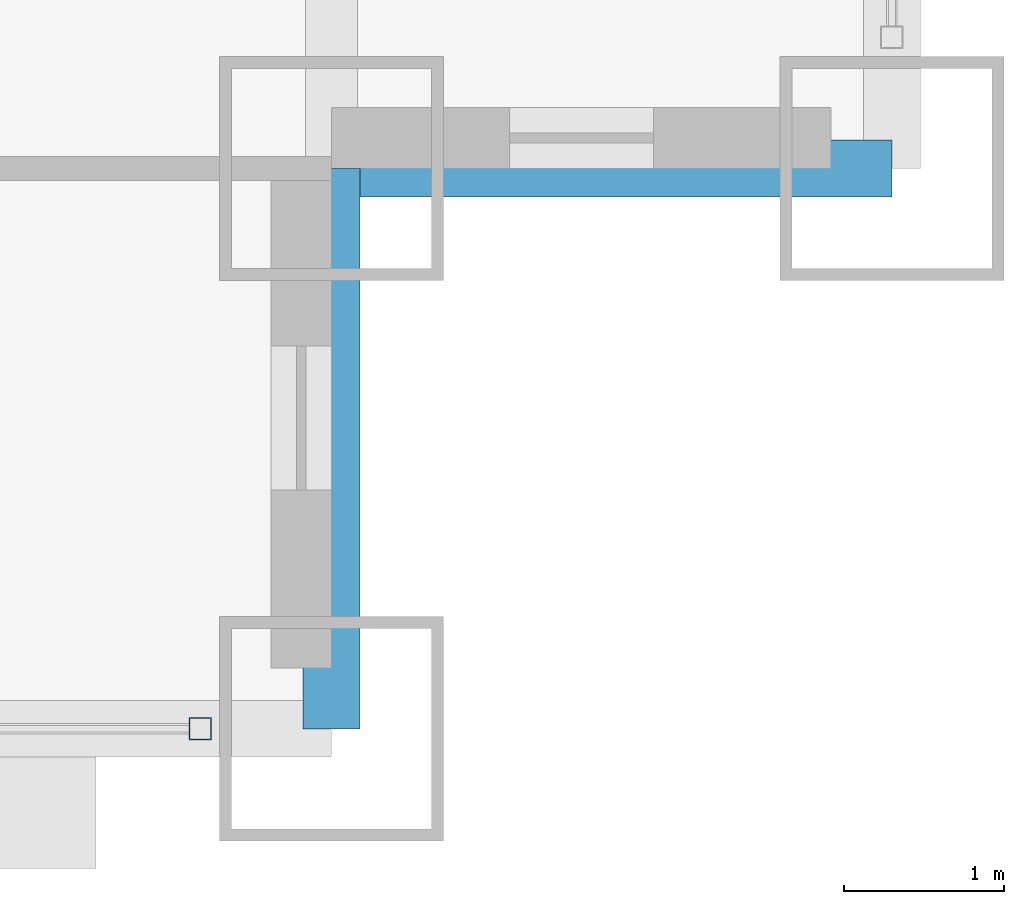
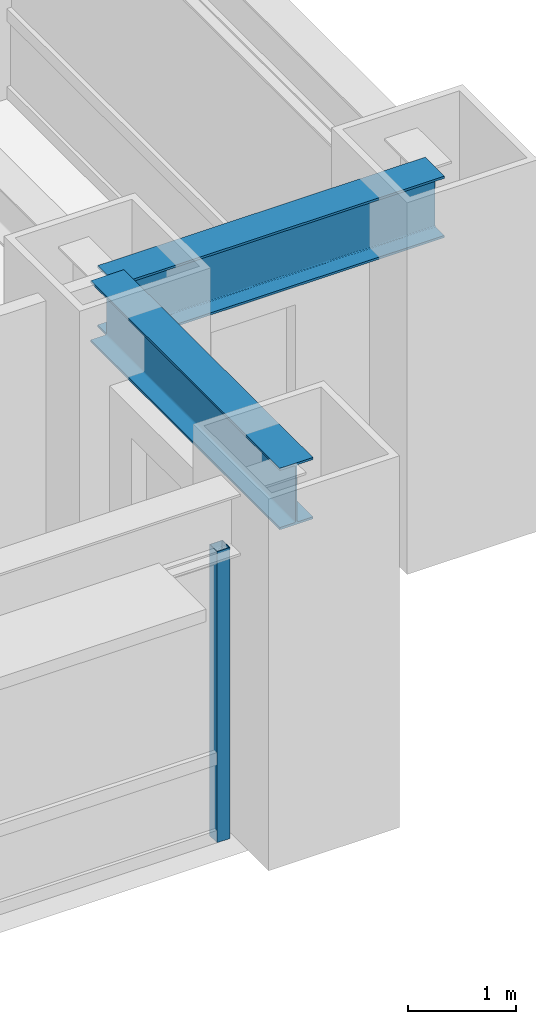
# One storey, part 6 of 32: 2 beams, 1 member, 1 element without a shape of its own.
"""IFC4 building model written with IfcOpenShell, lengths in metres."""

import ifcopenshell
import ifcopenshell.guid

model = None  # the IFC model being written
_history = None  # IfcOwnerHistory: only IFC2X3 demands one
_inside = {}  # id of a spatial element -> (the spatial element, [elements in it])
_under = {}  # id of a project, library or spatial element -> (it, [spatial elements below it])
_declared = {}  # id of a project -> (the project, [libraries it declares])
_typed = {}  # id of a type object -> (the type object, [elements of that type])
_made_of = {}  # id of a material, layer set ... -> (it, [elements and type objects made of it])


def new_model(schema):
    """Start an empty IFC model of exactly this schema.

    Asked for "IFC4X3", IfcOpenShell would pick the latest addendum, in which some entities
    have other attributes; the version numbers below select the first issue.
    IFC2X3 requires an IfcOwnerHistory on every rooted entity: one is made here for all.
    """
    global model, _history
    if schema == "IFC4X3":
        model = ifcopenshell.file(schema_version=(4, 3, 0, 0))
    else:
        model = ifcopenshell.file(schema=schema)
    _inside.clear()
    _under.clear()
    _declared.clear()
    _typed.clear()
    _made_of.clear()
    _history = None
    if model.schema == "IFC2X3":
        org = make("IfcOrganization", Name="unknown")
        user = make(
            "IfcPersonAndOrganization",
            ThePerson=make("IfcPerson", FamilyName="unknown"),
            TheOrganization=org,
        )
        app = make(
            "IfcApplication",
            ApplicationDeveloper=org,
            Version="unknown",
            ApplicationFullName="unknown",
            ApplicationIdentifier="unknown",
        )
        _history = make(
            "IfcOwnerHistory",
            OwningUser=user,
            OwningApplication=app,
            ChangeAction="ADDED",
            CreationDate=0,
        )
    return model


def make(cls, **values):
    """One entity of the class cls with the attributes given. An attribute that is None is left unset."""
    return model.create_entity(
        cls, **{name: value for name, value in values.items() if value is not None}
    )


def rooted(cls, **values):
    """An entity with a GlobalId (a new one), such as an element, a storey or a relation."""
    return make(cls, GlobalId=ifcopenshell.guid.new(), OwnerHistory=_history, **values)


def si_unit(unit_type, name, prefix=None):
    """IfcSIUnit, for example si_unit("LENGTHUNIT", "METRE", prefix="MILLI")."""
    return make("IfcSIUnit", UnitType=unit_type, Prefix=prefix, Name=name)


def assignment(units):
    """IfcUnitAssignment: the units of a project."""
    return None if units is None else make("IfcUnitAssignment", Units=units)


def point(xyz):
    """IfcCartesianPoint."""
    return None if xyz is None else make("IfcCartesianPoint", Coordinates=xyz)


def direction(xyz):
    """IfcDirection."""
    return None if xyz is None else make("IfcDirection", DirectionRatios=xyz)


def frame(location, z_axis=None, x_axis=None):
    """IfcAxis2Placement3D, a coordinate frame: its origin and axes. An axis left out is left unset."""
    return make(
        "IfcAxis2Placement3D",
        Location=point(location),
        Axis=direction(z_axis),
        RefDirection=direction(x_axis),
    )


def frame_2d(location, x_axis=None):
    """IfcAxis2Placement2D, a coordinate frame in the plane: its origin and x axis."""
    return make(
        "IfcAxis2Placement2D", Location=point(location), RefDirection=direction(x_axis)
    )


def origin():
    """The frame at (0, 0, 0) with its axes left unset."""
    return frame((0.0, 0.0, 0.0))


def origin_2d():
    """The frame at (0, 0) in the plane with its x axis left unset."""
    return frame_2d((0.0, 0.0))


def place(relative_to, where):
    """IfcLocalPlacement: puts the frame where relative to a parent placement (None: the world)."""
    return make(
        "IfcLocalPlacement", PlacementRelTo=relative_to, RelativePlacement=where
    )


def context(
    kind, dimensions, precision=None, world=None, true_north=None, identifier=None
):
    """IfcGeometricRepresentationContext, for example the 3D "Model" context."""
    return make(
        "IfcGeometricRepresentationContext",
        ContextIdentifier=identifier,
        ContextType=kind,
        CoordinateSpaceDimension=dimensions,
        Precision=precision,
        WorldCoordinateSystem=world,
        TrueNorth=true_north,
    )


def subcontext(parent, identifier, kind, view, scale=None):
    """IfcGeometricRepresentationSubContext, for example "Body" below "Model"."""
    return make(
        "IfcGeometricRepresentationSubContext",
        ContextIdentifier=identifier,
        ContextType=kind,
        ParentContext=parent,
        TargetScale=scale,
        TargetView=view,
    )


def project(units=None, contexts=None):
    """IfcProject with its units and contexts."""
    return rooted(
        "IfcProject",
        Name="project",
        RepresentationContexts=contexts,
        UnitsInContext=assignment(units),
    )


def spatial(cls, under=None, at=None, **own):
    """A site, building, storey or space (cls), placed at a placement, below another one or the project."""
    s = rooted(cls, ObjectPlacement=at, **own)
    if under is not None:
        _under.setdefault(under.id(), (under, []))[1].append(s)
    return s


def profile(cls, at=None, kind="AREA", **sizes):
    """A parametric profile (cls). Its sizes go by their IFC names, for example OverallWidth=200.0."""
    return make(cls, ProfileType=kind, Position=at, **sizes)


def hollow_rectangle(**sizes):
    """IfcRectangleHollowProfileDef."""
    return profile("IfcRectangleHollowProfileDef", **sizes)


def i_section(**sizes):
    """IfcIShapeProfileDef."""
    return profile("IfcIShapeProfileDef", **sizes)


def extrude(swept, where, along, depth):
    """IfcExtrudedAreaSolid: the profile swept, set in the frame where, extruded along a direction by depth."""
    return make(
        "IfcExtrudedAreaSolid",
        SweptArea=swept,
        Position=where,
        ExtrudedDirection=direction(along),
        Depth=depth,
    )


def shape(context_of_items, identifier, shape_type, items):
    """IfcShapeRepresentation: the items that make up one representation, for example the "Body"."""
    return make(
        "IfcShapeRepresentation",
        ContextOfItems=context_of_items,
        RepresentationIdentifier=identifier,
        RepresentationType=shape_type,
        Items=items,
    )


def source(mapping_origin, context_of_items, identifier, shape_type, items):
    """IfcRepresentationMap: a shape defined once, which mapped items show again and again."""
    return make(
        "IfcRepresentationMap",
        MappingOrigin=mapping_origin,
        MappedRepresentation=shape(context_of_items, identifier, shape_type, items),
    )


def transform(
    local_origin,
    x_axis=None,
    y_axis=None,
    z_axis=None,
    scale=None,
    scale2=None,
    scale3=None,
    uniform=True,
):
    """IfcCartesianTransformationOperator3D, or its non-uniform kind. x_axis, y_axis, z_axis: its Axis1, 2, 3."""
    if uniform:
        return make(
            "IfcCartesianTransformationOperator3D",
            Axis1=direction(x_axis),
            Axis2=direction(y_axis),
            LocalOrigin=point(local_origin),
            Scale=scale,
            Axis3=direction(z_axis),
        )
    return make(
        "IfcCartesianTransformationOperator3DnonUniform",
        Axis1=direction(x_axis),
        Axis2=direction(y_axis),
        LocalOrigin=point(local_origin),
        Scale=scale,
        Axis3=direction(z_axis),
        Scale2=scale2,
        Scale3=scale3,
    )


def mapped(mapping_source, mapping_target):
    """IfcMappedItem: shows the shape of a source again, moved by a transform."""
    return make(
        "IfcMappedItem", MappingSource=mapping_source, MappingTarget=mapping_target
    )


def material(Name=None, Category=None):
    """IfcMaterial."""
    return make("IfcMaterial", Name=Name, Category=Category)


def material_profile(
    of_material, cross_section, Name=None, Category=None, Priority=None
):
    """IfcMaterialProfile: a cross section and its material."""
    return make(
        "IfcMaterialProfile",
        Name=Name,
        Material=of_material,
        Profile=cross_section,
        Priority=Priority,
        Category=Category,
    )


def profile_set(profiles, Name=None, composite=None):
    """IfcMaterialProfileSet."""
    return make(
        "IfcMaterialProfileSet",
        Name=Name,
        MaterialProfiles=profiles,
        CompositeProfile=composite,
    )


def made_of(thing, what):
    """Note that an element or type object is made of a material, layer set ...; save() writes the relation."""
    if what is not None:
        _made_of.setdefault(what.id(), (what, []))[1].append(thing)
    return thing


def type_object(cls, material=None, **own):
    """A type object (cls), such as IfcWallType, which elements share."""
    return made_of(rooted(cls, **own), material)


def element(
    cls,
    number,
    at=None,
    inside=None,
    cuts=None,
    type_object=None,
    material=None,
    context=None,
    identifier="Body",
    shape_type=None,
    held_by="IfcProductDefinitionShape",
    body=None,
    shapes=None,
    **own,
):
    """One element of the class cls, such as IfcWall. Its Tag is "e" and its number.

    at: its placement. inside: the storey or other place that contains it. cuts: it is an
    opening in that element (IfcRelVoidsElement). A single representation is given by context,
    identifier, shape_type and body (its items); several are given by shapes. held_by: the class
    of the entity that holds the representations. save() writes the other relations.
    """
    e = rooted(cls, Tag="e%d" % number, ObjectPlacement=at, **own)
    if body is not None:
        shapes = [shape(context, identifier, shape_type, body)]
    if shapes is not None:
        e.Representation = make(held_by, Representations=shapes)
    if inside is not None:
        _inside.setdefault(inside.id(), (inside, []))[1].append(e)
    if cuts is not None:
        rooted(
            "IfcRelVoidsElement", RelatingBuildingElement=cuts, RelatedOpeningElement=e
        )
    if type_object is not None:
        _typed.setdefault(type_object.id(), (type_object, []))[1].append(e)
    return made_of(e, material)


def aggregate(whole, parts):
    """IfcRelAggregates: a whole, such as a stair, and the parts it consists of."""
    return rooted("IfcRelAggregates", RelatingObject=whole, RelatedObjects=parts)


def save(model, path):
    """Write the relations noted so far, then the file.

    IfcRelAggregates (storeys below a building ...), IfcRelContainedInSpatialStructure (elements
    in a storey), IfcRelDefinesByType, IfcRelAssociatesMaterial and IfcRelDeclares: one each for
    every whole, place, type object, material and project.
    """
    for whole, parts in _under.values():
        aggregate(whole, parts)
    for where, things in _inside.values():
        rooted(
            "IfcRelContainedInSpatialStructure",
            RelatedElements=things,
            RelatingStructure=where,
        )
    for kind, things in _typed.values():
        rooted("IfcRelDefinesByType", RelatedObjects=things, RelatingType=kind)
    for what, things in _made_of.values():
        rooted("IfcRelAssociatesMaterial", RelatedObjects=things, RelatingMaterial=what)
    for by, libraries in _declared.values():
        rooted("IfcRelDeclares", RelatingContext=by, RelatedDefinitions=libraries)
    model.write(path)


model = new_model("IFC4")

# Units and contexts
model_context = context("Model", 3, precision=1e-05, world=origin(), true_north=direction((0.0, 1.0)))
body_context = subcontext(model_context, "Body", "Model", "MODEL_VIEW")
ifc_project = project(units=[si_unit("LENGTHUNIT", "METRE"), si_unit("AREAUNIT", "SQUARE_METRE"), si_unit("VOLUMEUNIT", "CUBIC_METRE"), si_unit("PLANEANGLEUNIT", "RADIAN"), si_unit("MASSUNIT", "GRAM", prefix="KILO")], contexts=[model_context])

# Site, building, storey
site_placement = place(None, origin())
site = spatial("IfcSite", under=ifc_project, at=site_placement, CompositionType="ELEMENT")
building_placement = place(site_placement, origin())
building = spatial("IfcBuilding", under=site, at=building_placement, Name="Khorayat Bourse Tower", CompositionType="ELEMENT")
storey_placement = place(building_placement, frame((0.0, 0.0, 74.60009765625)))
storey = spatial("IfcBuildingStorey", under=building, at=storey_placement, Name="L16", CompositionType="ELEMENT", Elevation=74.60009765625)

# Beams
ifc_material_1 = material(Name="Steel ASTM A992 Grade 50", Category="steel")
ifc_material_profile_1 = material_profile(ifc_material_1, i_section(OverallWidth=0.35498046875, OverallDepth=0.695068359375, WebThickness=0.015380859375, FlangeThickness=0.02490234375, FilletRadius=0.01806640625, at=origin_2d()), Name="W690X217")
ifc_profile_set_1 = profile_set([ifc_material_profile_1], Name="Steel ASTM A992 Grade 50")
beam_type = type_object("IfcBeamType", Name="BM-SPAN-690", PredefinedType="SPANDREL", material=ifc_profile_set_1)
shared_shape_1 = source(origin(), body_context, "Body", "SweptSolid", [
    extrude(i_section(OverallWidth=0.35498046875, OverallDepth=0.695068359375, WebThickness=0.015380859375, FlangeThickness=0.02490234375, FilletRadius=0.01806640625, at=origin_2d()), origin(), (0.0, 0.0, 1.0), 3.5),
])
for number, where, z_axis, x_axis, name in (
    (1, (28.5, -32.0, 3.59228515625), (0.0, 1.0, 0.0), (-1.0, 0.0, 0.0), "L16 BM-SPAN-690 BM-L16-SPN-032"),
    (2, (28.5, -28.5, 3.59228515625), (1.0, 0.0, 0.0), (0.0, 1.0, 0.0), "L16 BM-SPAN-690 BM-L16-SPN-033"),
):
    element("IfcBeam", number, at=place(storey_placement, frame(where, z_axis=z_axis, x_axis=x_axis)), inside=storey, type_object=beam_type, Name=name, PredefinedType="SPANDREL", context=body_context, shape_type="MappedRepresentation", body=[
        mapped(shared_shape_1, transform((0.0, 0.0, 0.0), scale=1.0)),
    ])

# Curtain wall, member
ifc_material_2 = material(Name="Aluminium EN AW-6063 T6", Category="aluminium")
curtain_wall_type = type_object("IfcCurtainWallType", Name="CW-SYS-02", PredefinedType="NOTDEFINED", material=ifc_material_2)
curtain_wall_placement = place(storey_placement, origin())
curtain_wall = element("IfcCurtainWall", 3, at=curtain_wall_placement, inside=storey, type_object=curtain_wall_type, Name="L16 Curtain Wall CW-L16-S1", PredefinedType="NOTDEFINED")
ifc_material_profile_2 = material_profile(ifc_material_2, hollow_rectangle(XDim=0.139892578125, YDim=0.139892578125, WallThickness=0.006103515625, at=origin_2d()), Name="ALU 140x140x6")
ifc_profile_set_2 = profile_set([ifc_material_profile_2], Name="Aluminium EN AW-6063 T6")
member_type = type_object("IfcMemberType", Name="CWM-VERT-140", PredefinedType="MULLION", material=ifc_profile_set_2)
shared_shape_2 = source(origin(), body_context, "Body", "SweptSolid", [
    extrude(hollow_rectangle(XDim=0.139892578125, YDim=0.139892578125, WallThickness=0.006103515625, at=origin_2d()), origin(), (0.0, 0.0, 1.0), 3.289794921875),
])
member_placement = place(storey_placement, frame((27.679931640625, -32.0, 0.0), z_axis=(0.0, 0.0, 1.0), x_axis=(0.0, 1.0, 0.0)))
member = element("IfcMember", 4, at=member_placement, type_object=member_type, Name="CW-L16-S1 Vertical Mullion 3", PredefinedType="MULLION", context=body_context, shape_type="MappedRepresentation", body=[
    mapped(shared_shape_2, transform((0.0, 0.0, 0.0), scale=1.0)),
])
aggregate(curtain_wall, [member])

save(model, "model.ifc")
